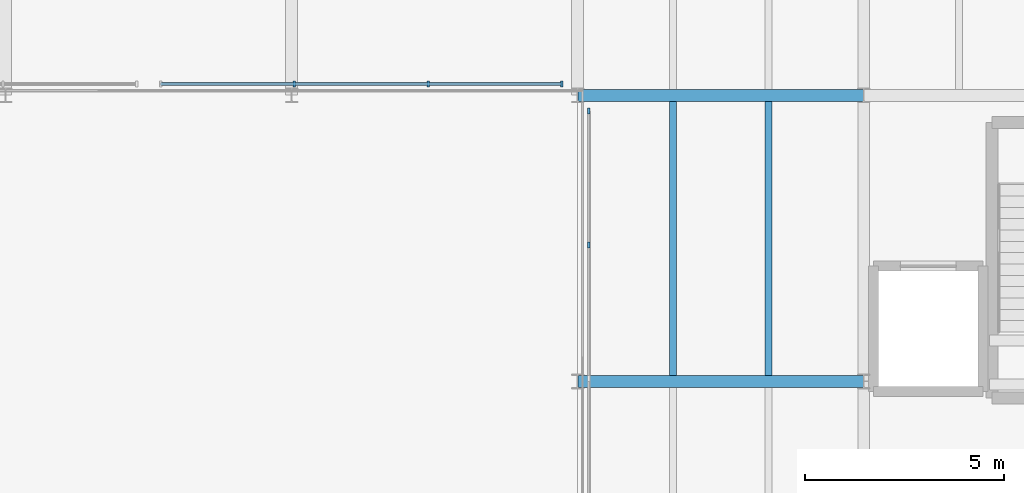
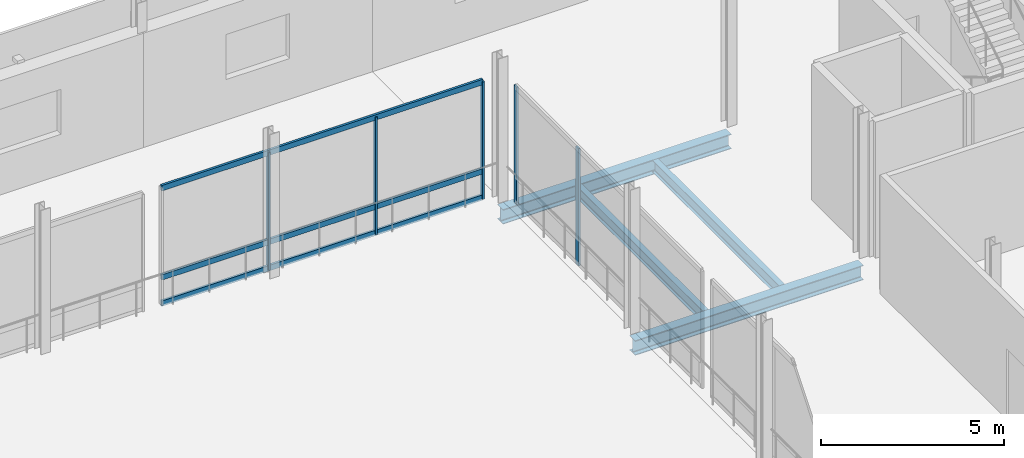
# One storey, part 48 of 121: 8 members, 4 beams, 2 elements without a shape of their own.
"""IFC4 building model written with IfcOpenShell, lengths in metres."""

from ifc_helpers import new_model, si_unit, direction, frame, origin, origin_2d, place, context, subcontext, project, spatial, rectangle, i_section, extrude, material, layer, layer_set, material_profile, profile_set, type_object, element, aggregate, save


model = new_model("IFC4")

# Units and contexts
model_context = context("Model", 3, precision=1e-05, world=origin(), true_north=direction((0.0, 1.0)))
body_context = subcontext(model_context, "Body", "Model", "MODEL_VIEW")
ifc_project = project(units=[si_unit("LENGTHUNIT", "METRE"), si_unit("AREAUNIT", "SQUARE_METRE"), si_unit("VOLUMEUNIT", "CUBIC_METRE"), si_unit("PLANEANGLEUNIT", "RADIAN"), si_unit("MASSUNIT", "GRAM", prefix="KILO")], contexts=[model_context])

# Site, building, storey
site_placement = place(None, origin())
site = spatial("IfcSite", under=ifc_project, at=site_placement, CompositionType="ELEMENT")
building_placement = place(site_placement, origin())
building = spatial("IfcBuilding", under=site, at=building_placement, Name="Narikvali Park Central Library", CompositionType="ELEMENT")
storey_placement = place(building_placement, frame((0.0, 0.0, 5.39990234375)))
storey = spatial("IfcBuildingStorey", under=building, at=storey_placement, Name="L01", CompositionType="ELEMENT", Elevation=5.39990234375)

# Beams
ifc_material_1 = material(Name="Steel S355", Category="steel")
ifc_material_profile_1 = material_profile(ifc_material_1, i_section(OverallWidth=0.179931640625, OverallDepth=0.39990234375, WebThickness=0.008544921875, FlangeThickness=0.013427734375, FilletRadius=0.02099609375, at=origin_2d()), Name="IPE 400")
ifc_profile_set_1 = profile_set([ifc_material_profile_1], Name="Steel S355")
beam_type_1 = type_object("IfcBeamType", Name="Composite Floor Joist IPE400", PredefinedType="JOIST", material=ifc_profile_set_1)
for number, where, z_axis, x_axis, name in (
    (1, (153.60009765625, 100.949951171875, -0.47998046875), (0.0, 1.0, 0.0), (-1.0, 0.0, 0.0), "V3 L01 Composite Joist 1"),
    (2, (156.0, 100.949951171875, -0.47998046875), (0.0, 1.0, 0.0), (-1.0, 0.0, 0.0), "V3 L01 Composite Joist 2"),
):
    element("IfcBeam", number, at=place(storey_placement, frame(where, z_axis=z_axis, x_axis=x_axis)), inside=storey, type_object=beam_type_1, Name=name, PredefinedType="JOIST", context=body_context, shape_type="SweptSolid", body=[
        extrude(i_section(OverallWidth=0.179931640625, OverallDepth=0.39990234375, WebThickness=0.008544921875, FlangeThickness=0.013427734375, FilletRadius=0.02099609375, at=origin_2d()), origin(), (0.0, 0.0, 1.0), 6.900146484375),
    ])

# Curtain wall, members
ifc_material_2 = material(Name="Anodised Bronze Aluminium", Category="aluminium")
ifc_layer = layer(ifc_material_2, 0.219970703125, Name="Anodised Bronze Aluminium")
ifc_layer_set = layer_set([ifc_layer], Name="Anodised Bronze Aluminium")
curtain_wall_type = type_object("IfcCurtainWallType", Name="Atrium Tall Curtain Wall System", PredefinedType="NOTDEFINED", material=ifc_layer_set)
curtain_wall_1_placement = place(storey_placement, origin())
curtain_wall_1 = element("IfcCurtainWall", 3, at=curtain_wall_1_placement, inside=storey, type_object=curtain_wall_type, Name="Atrium Tall Curtain Wall System CW-INT-V3-L01-N2", PredefinedType="NOTDEFINED")
ifc_material_profile_2 = material_profile(ifc_material_2, rectangle(XDim=0.074951171875, YDim=0.179931640625, at=origin_2d()), Name="CW TRANSOM 75x180")
ifc_profile_set_2 = profile_set([ifc_material_profile_2], Name="Anodised Bronze Aluminium")
member_type_1 = type_object("IfcMemberType", Name="Curtain Wall Heavy Transom 75x180", PredefinedType="USERDEFINED", material=ifc_profile_set_2)
member_1_placement = place(storey_placement, frame((140.699951171875, 108.280029296875, 0.030029296875), z_axis=(1.0, 0.0, 0.0), x_axis=(0.0, 1.0, 0.0)))
member_1 = element("IfcMember", 4, at=member_1_placement, type_object=member_type_1, Name="CW-INT-V3-L01-N2 Transom 00", ObjectType="TRANSOM", PredefinedType="USERDEFINED", context=body_context, shape_type="SweptSolid", body=[
    extrude(rectangle(XDim=0.074951171875, YDim=0.179931640625, at=origin_2d()), origin(), (0.0, 0.0, 1.0), 10.10009765625),
])
member_2_placement = place(storey_placement, frame((140.699951171875, 108.280029296875, 0.900146484375), z_axis=(1.0, 0.0, 0.0), x_axis=(0.0, 1.0, 0.0)))
member_2 = element("IfcMember", 5, at=member_2_placement, type_object=member_type_1, Name="CW-INT-V3-L01-N2 Transom 01", ObjectType="TRANSOM", PredefinedType="USERDEFINED", context=body_context, shape_type="SweptSolid", body=[
    extrude(rectangle(XDim=0.074951171875, YDim=0.179931640625, at=origin_2d()), origin(), (0.0, 0.0, 1.0), 10.10009765625),
])
member_3_placement = place(storey_placement, frame((140.699951171875, 108.280029296875, 3.8701171875), z_axis=(1.0, 0.0, 0.0), x_axis=(0.0, 1.0, 0.0)))
member_3 = element("IfcMember", 6, at=member_3_placement, type_object=member_type_1, Name="CW-INT-V3-L01-N2 Transom 02", ObjectType="TRANSOM", PredefinedType="USERDEFINED", context=body_context, shape_type="SweptSolid", body=[
    extrude(rectangle(XDim=0.074951171875, YDim=0.179931640625, at=origin_2d()), origin(), (0.0, 0.0, 1.0), 10.10009765625),
])

curtain_wall_2_placement = place(storey_placement, origin())
curtain_wall_2 = element("IfcCurtainWall", 7, at=curtain_wall_2_placement, inside=storey, type_object=curtain_wall_type, Name="Atrium Tall Curtain Wall System CW-INT-V3-L01-E2", PredefinedType="NOTDEFINED")
ifc_material_profile_3 = material_profile(ifc_material_2, rectangle(XDim=0.06005859375, YDim=0.14990234375, at=origin_2d()), Name="CW MULLION 60x150")
ifc_profile_set_3 = profile_set([ifc_material_profile_3], Name="Anodised Bronze Aluminium")
member_type_2 = type_object("IfcMemberType", Name="Curtain Wall Mullion 60x150", PredefinedType="MULLION", material=ifc_profile_set_3)
member_4_placement = place(storey_placement, frame((151.47998046875, 104.2333984375, -0.010009765625), z_axis=(0.0, 0.0, 1.0), x_axis=(1.0, 0.0, 0.0)))
member_4 = element("IfcMember", 8, at=member_4_placement, type_object=member_type_2, Name="CW-INT-V3-L01-E2 Mullion 02", PredefinedType="MULLION", context=body_context, shape_type="SweptSolid", body=[
    extrude(rectangle(XDim=0.06005859375, YDim=0.14990234375, at=origin_2d()), origin(), (0.0, 0.0, 1.0), 3.91015625),
])
member_5_placement = place(storey_placement, frame((151.47998046875, 107.60009765625, -0.010009765625), z_axis=(0.0, 0.0, 1.0), x_axis=(1.0, 0.0, 0.0)))
member_5 = element("IfcMember", 9, at=member_5_placement, type_object=member_type_2, Name="CW-INT-V3-L01-E2 Mullion 03", PredefinedType="MULLION", context=body_context, shape_type="SweptSolid", body=[
    extrude(rectangle(XDim=0.06005859375, YDim=0.14990234375, at=origin_2d()), origin(), (0.0, 0.0, 1.0), 3.91015625),
])
aggregate(curtain_wall_2, [member_4, member_5])

# Member
member_6_placement = place(storey_placement, frame((144.066650390625, 108.280029296875, -0.010009765625), z_axis=(0.0, 0.0, 1.0), x_axis=(1.0, 0.0, 0.0)))
member_6 = element("IfcMember", 10, at=member_6_placement, type_object=member_type_2, Name="CW-INT-V3-L01-N2 Mullion 01", PredefinedType="MULLION", context=body_context, shape_type="SweptSolid", body=[
    extrude(rectangle(XDim=0.06005859375, YDim=0.14990234375, at=origin_2d()), origin(), (0.0, 0.0, 1.0), 3.91015625),
])

member_7_placement = place(storey_placement, frame((147.433349609375, 108.280029296875, -0.010009765625), z_axis=(0.0, 0.0, 1.0), x_axis=(1.0, 0.0, 0.0)))
member_7 = element("IfcMember", 11, at=member_7_placement, type_object=member_type_2, Name="CW-INT-V3-L01-N2 Mullion 02", PredefinedType="MULLION", context=body_context, shape_type="SweptSolid", body=[
    extrude(rectangle(XDim=0.06005859375, YDim=0.14990234375, at=origin_2d()), origin(), (0.0, 0.0, 1.0), 3.91015625),
])

member_8_placement = place(storey_placement, frame((150.800048828125, 108.280029296875, -0.010009765625), z_axis=(0.0, 0.0, 1.0), x_axis=(1.0, 0.0, 0.0)))
member_8 = element("IfcMember", 12, at=member_8_placement, type_object=member_type_2, Name="CW-INT-V3-L01-N2 Mullion 03", PredefinedType="MULLION", context=body_context, shape_type="SweptSolid", body=[
    extrude(rectangle(XDim=0.06005859375, YDim=0.14990234375, at=origin_2d()), origin(), (0.0, 0.0, 1.0), 3.91015625),
])

aggregate(curtain_wall_1, [member_6, member_7, member_8, member_1, member_2, member_3])

# Beams
ifc_material_profile_4 = material_profile(ifc_material_1, i_section(OverallWidth=0.300048828125, OverallDepth=0.489990234375, WebThickness=0.011962890625, FlangeThickness=0.02294921875, FilletRadius=0.027099609375, at=origin_2d()), Name="HEA 500")
ifc_profile_set_4 = profile_set([ifc_material_profile_4], Name="Steel S355")
beam_type_2 = type_object("IfcBeamType", Name="Primary Girder HEA500", PredefinedType="BEAM", material=ifc_profile_set_4)
for number, where, z_axis, x_axis, name in (
    (13, (151.2080078125, 100.800048828125, -0.52490234375), (1.0, 0.0, 0.0), (0.0, 1.0, 0.0), "V3 L01 Girder X"),
    (14, (151.2080078125, 108.0, -0.52490234375), (1.0, 0.0, 0.0), (0.0, 1.0, 0.0), "V3 L01 Girder X"),
):
    element("IfcBeam", number, at=place(storey_placement, frame(where, z_axis=z_axis, x_axis=x_axis)), inside=storey, type_object=beam_type_2, Name=name, PredefinedType="BEAM", context=body_context, shape_type="SweptSolid", body=[
        extrude(i_section(OverallWidth=0.300048828125, OverallDepth=0.489990234375, WebThickness=0.011962890625, FlangeThickness=0.02294921875, FilletRadius=0.027099609375, at=origin_2d()), origin(), (0.0, 0.0, 1.0), 7.18408203125),
    ])

save(model, "model.ifc")
